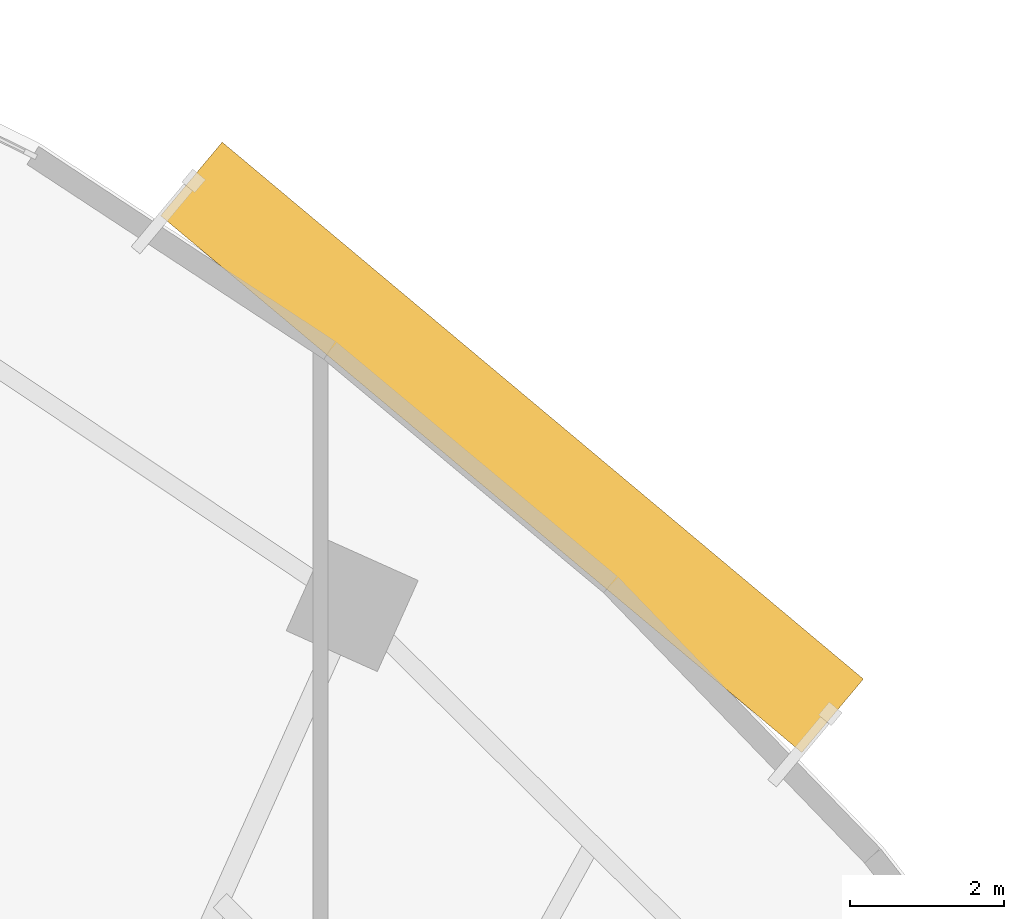
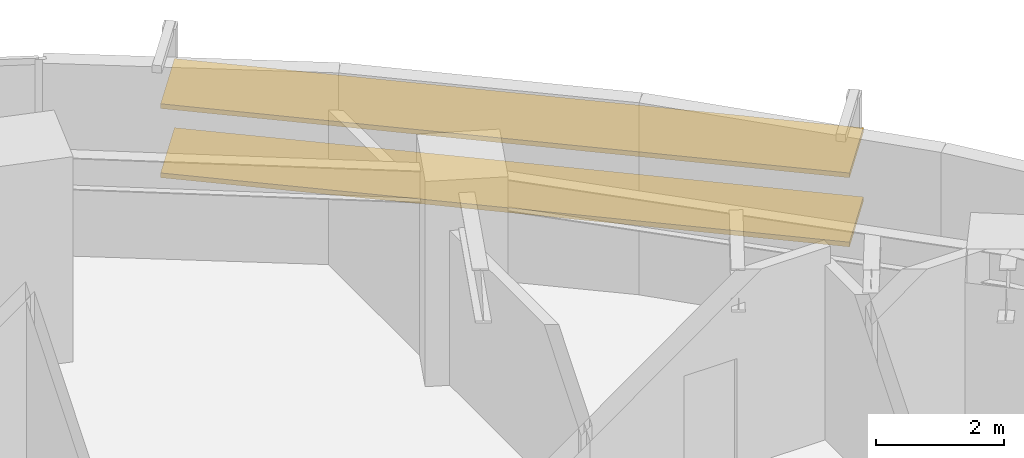
# One storey, part 14 of 14: 2 shading devices.
"""IFC4 building model written with IfcOpenShell, lengths in metres."""

from ifc_helpers import new_model, si_unit, direction, frame, origin, origin_2d, place, context, subcontext, project, spatial, rectangle, extrude, source, transform, mapped, material, material_profile, profile_set, type_object, element, save


model = new_model("IFC4")

# Units and contexts
model_context = context("Model", 3, precision=1e-05, world=origin(), true_north=direction((0.0, 1.0)))
body_context = subcontext(model_context, "Body", "Model", "MODEL_VIEW")
ifc_project = project(units=[si_unit("LENGTHUNIT", "METRE"), si_unit("AREAUNIT", "SQUARE_METRE"), si_unit("VOLUMEUNIT", "CUBIC_METRE"), si_unit("PLANEANGLEUNIT", "RADIAN"), si_unit("MASSUNIT", "GRAM", prefix="KILO")], contexts=[model_context])

# Site, building, storey
site_placement = place(None, origin())
site = spatial("IfcSite", under=ifc_project, at=site_placement, CompositionType="ELEMENT")
building_placement = place(site_placement, origin())
building = spatial("IfcBuilding", under=site, at=building_placement, Name="Breltana Convention Tower", CompositionType="ELEMENT")
storey_placement = place(building_placement, frame((0.0, 0.0, 111.60009765625)))
storey = spatial("IfcBuildingStorey", under=building, at=storey_placement, Name="L26", CompositionType="ELEMENT", Elevation=111.60009765625)

# Shading devices
ifc_material = material(Name="Limestone Warm Buff Honed", Category="masonry")
ifc_material_profile = material_profile(ifc_material, rectangle(XDim=1.25, YDim=0.090087890625, at=origin_2d()), Name="STN-LVR-1250X90")
ifc_profile_set = profile_set([ifc_material_profile], Name="Limestone Warm Buff Honed")
shading_device_type = type_object("IfcShadingDeviceType", Name="SHD-OUTER-SKIN-LIMESTONE-1250", PredefinedType="JALOUSIE", material=ifc_profile_set)
shared_shape = source(origin(), body_context, "Body", "SweptSolid", [
    extrude(rectangle(XDim=1.25, YDim=0.090087890625, at=origin_2d()), origin(), (0.0, 0.0, 1.0), 10.892333984375),
])
for number, where, z_axis, x_axis, name in (
    (1, (66.81591796875, 74.190673828125, 1.31396484375), (0.766718160057, -0.641983849515, 0.0), (0.641983849515, 0.766718160057, 0.0), "L26 outer skin warm limestone louvre 2.1"),
    (2, (66.81591796875, 74.190673828125, 2.6279296875), (0.766718160057, -0.641983849515, 0.0), (0.641983849515, 0.766718160057, 0.0), "L26 outer skin warm limestone louvre 2.2"),
):
    element("IfcShadingDevice", number, at=place(storey_placement, frame(where, z_axis=z_axis, x_axis=x_axis)), inside=storey, type_object=shading_device_type, Name=name, PredefinedType="JALOUSIE", context=body_context, shape_type="MappedRepresentation", body=[
        mapped(shared_shape, transform((0.0, 0.0, 0.0), scale=1.0)),
    ])

save(model, "model.ifc")
